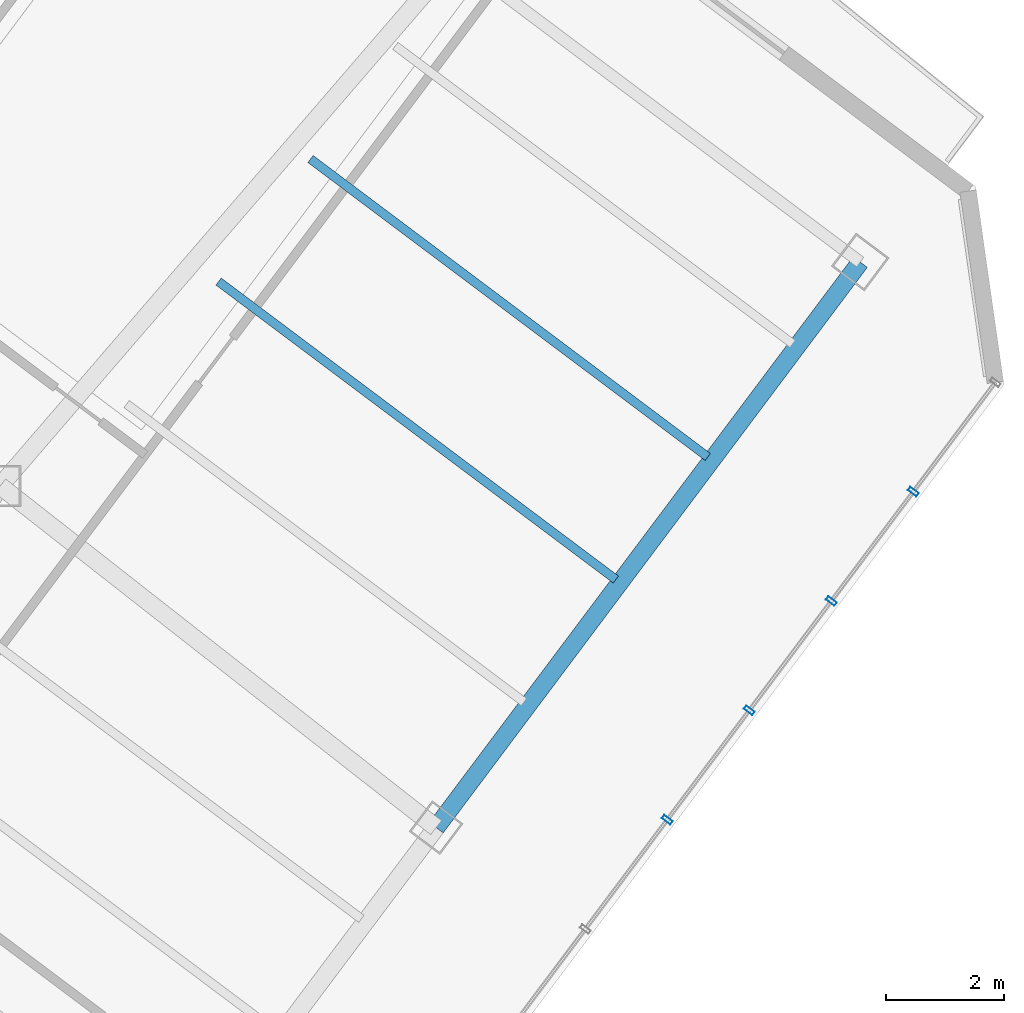
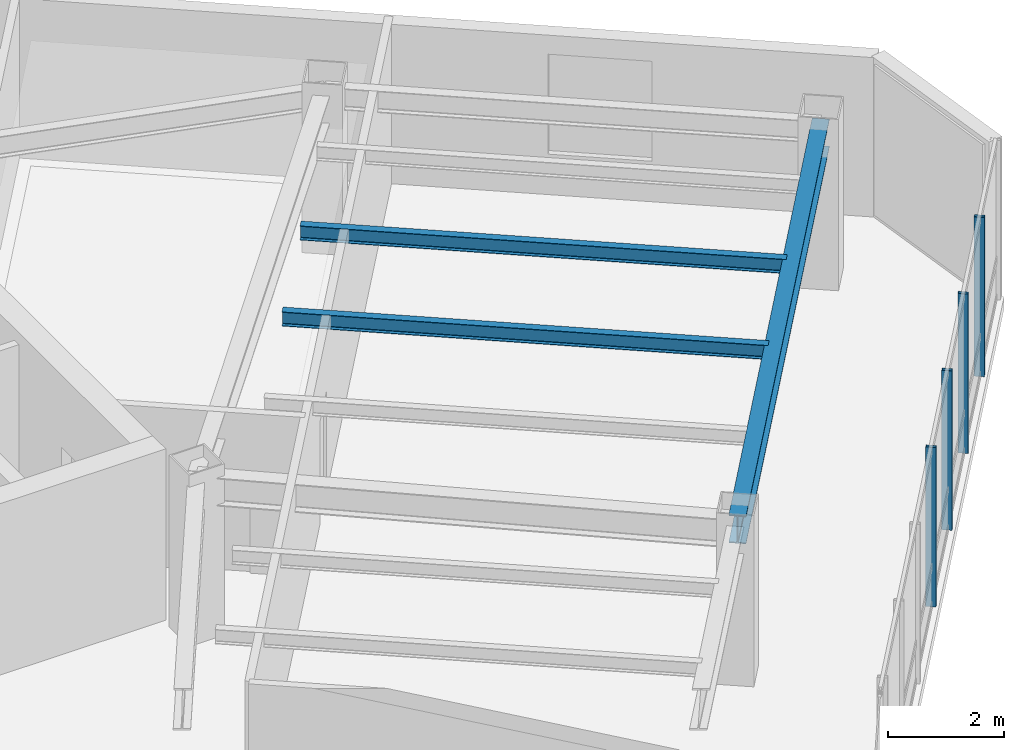
# One storey, part 13 of 25: 4 members, 3 beams, 1 element without a shape of its own.
"""IFC4 building model written with IfcOpenShell, lengths in metres."""

from ifc_helpers import new_model, si_unit, direction, frame, origin, origin_2d, place, context, subcontext, project, spatial, hollow_rectangle, i_section, extrude, material, layer, layer_set, material_profile, profile_set, type_object, element, aggregate, save


model = new_model("IFC4")

# Units and contexts
model_context = context("Model", 3, precision=1e-05, world=origin(), true_north=direction((0.0, 1.0)))
body_context = subcontext(model_context, "Body", "Model", "MODEL_VIEW")
ifc_project = project(units=[si_unit("LENGTHUNIT", "METRE"), si_unit("AREAUNIT", "SQUARE_METRE"), si_unit("VOLUMEUNIT", "CUBIC_METRE"), si_unit("PLANEANGLEUNIT", "RADIAN"), si_unit("MASSUNIT", "GRAM", prefix="KILO")], contexts=[model_context])

# Site, building, storey
site_placement = place(None, origin())
site = spatial("IfcSite", under=ifc_project, at=site_placement, CompositionType="ELEMENT")
building_placement = place(site_placement, origin())
building = spatial("IfcBuilding", under=site, at=building_placement, Name="Hatsunagi Terrace Concourse", CompositionType="ELEMENT")
storey_placement = place(building_placement, frame((0.0, 0.0, 220.35009765625)))
storey = spatial("IfcBuildingStorey", under=building, at=storey_placement, Name="L58", CompositionType="ELEMENT", Elevation=220.35009765625)

# Curtain wall, members
ifc_material_1 = material(Name="Anodised Aluminium Alloy 6063-T5", Category="aluminium")
ifc_layer = layer(ifc_material_1, 0.199951171875)
ifc_layer_set = layer_set([ifc_layer], Name="OfficeZone2_CW04")
curtain_wall_type = type_object("IfcCurtainWallType", Name="OfficeZone2_CW04", PredefinedType="NOTDEFINED", material=ifc_layer_set)
curtain_wall_placement = place(storey_placement, origin())
curtain_wall = element("IfcCurtainWall", 1, at=curtain_wall_placement, inside=storey, type_object=curtain_wall_type, Name="Unitised Curtain Wall CW-04 CW-L58-03", PredefinedType="NOTDEFINED")
ifc_material_2 = material(Name="Anodised Aluminium Alloy 6063-T5", Category="aluminium")
ifc_material_profile_1 = material_profile(ifc_material_2, hollow_rectangle(XDim=0.070068359375, YDim=0.179931640625, WallThickness=0.00390625, at=origin_2d()), Name="ALU-MUL-180x70x4")
ifc_profile_set_1 = profile_set([ifc_material_profile_1], Name="Anodised Aluminium Alloy 6063-T5")
member_type = type_object("IfcMemberType", Name="CurtainWallMullion_180x70", PredefinedType="MULLION", material=ifc_profile_set_1)
member_1_placement = place(storey_placement, frame((59.301025390625, 24.10205078125, 0.0), z_axis=(0.0, 0.0, 1.0), x_axis=(-0.599969314634, -0.800023013105, 0.0)))
member_1 = element("IfcMember", 2, at=member_1_placement, type_object=member_type, Name="Curtain Wall Mullion MUL-02", PredefinedType="MULLION", context=body_context, shape_type="SweptSolid", body=[
    extrude(hollow_rectangle(XDim=0.070068359375, YDim=0.179931640625, WallThickness=0.00390625, at=origin_2d()), origin(), (0.0, 0.0, 1.0), 3.349853515625),
])
member_2_placement = place(storey_placement, frame((57.908935546875, 22.2451171875, 0.0), z_axis=(0.0, 0.0, 1.0), x_axis=(-0.599969314634, -0.800023013105, 0.0)))
member_2 = element("IfcMember", 3, at=member_2_placement, type_object=member_type, Name="Curtain Wall Mullion MUL-02", PredefinedType="MULLION", context=body_context, shape_type="SweptSolid", body=[
    extrude(hollow_rectangle(XDim=0.070068359375, YDim=0.179931640625, WallThickness=0.00390625, at=origin_2d()), origin(), (0.0, 0.0, 1.0), 3.349853515625),
])
member_3_placement = place(storey_placement, frame((56.51611328125, 20.388916015625, 0.0), z_axis=(0.0, 0.0, 1.0), x_axis=(-0.599969314634, -0.800023013105, 0.0)))
member_3 = element("IfcMember", 4, at=member_3_placement, type_object=member_type, Name="Curtain Wall Mullion MUL-02", PredefinedType="MULLION", context=body_context, shape_type="SweptSolid", body=[
    extrude(hollow_rectangle(XDim=0.070068359375, YDim=0.179931640625, WallThickness=0.00390625, at=origin_2d()), origin(), (0.0, 0.0, 1.0), 3.349853515625),
])
member_4_placement = place(storey_placement, frame((55.1240234375, 18.531982421875, 0.0), z_axis=(0.0, 0.0, 1.0), x_axis=(-0.599969314634, -0.800023013105, 0.0)))
member_4 = element("IfcMember", 5, at=member_4_placement, type_object=member_type, Name="Curtain Wall Mullion MUL-02", PredefinedType="MULLION", context=body_context, shape_type="SweptSolid", body=[
    extrude(hollow_rectangle(XDim=0.070068359375, YDim=0.179931640625, WallThickness=0.00390625, at=origin_2d()), origin(), (0.0, 0.0, 1.0), 3.349853515625),
])
aggregate(curtain_wall, [member_1, member_2, member_3, member_4])

# Beams
ifc_material_3 = material(Name="Steel SN490B", Category="steel")
ifc_material_profile_2 = material_profile(ifc_material_3, i_section(OverallWidth=0.300048828125, OverallDepth=0.587890625, WebThickness=0.011962890625, FlangeThickness=0.02001953125, FilletRadius=0.01806640625, at=origin_2d()), Name="H-588x300x12x20")
ifc_profile_set_2 = profile_set([ifc_material_profile_2], Name="Steel SN490B")
beam_type_1 = type_object("IfcBeamType", Name="OfficeHighGirder_H_588x300", PredefinedType="BEAM", material=ifc_profile_set_2)
beam_placement = place(storey_placement, frame((51.199951171875, 18.39990234375, 3.055908203125), z_axis=(0.59999348959, 0.800004882766, 0.0), x_axis=(-0.800004882766, 0.59999348959, 0.0)))
element("IfcBeam", 6, at=beam_placement, inside=storey, type_object=beam_type_1, Name="Beam G-06 BM-L58-SET-2B", PredefinedType="BEAM", context=body_context, shape_type="SweptSolid", body=[
    extrude(i_section(OverallWidth=0.300048828125, OverallDepth=0.587890625, WebThickness=0.011962890625, FlangeThickness=0.02001953125, FilletRadius=0.01806640625, at=origin_2d()), origin(), (0.0, 0.0, 1.0), 12.0),
])
ifc_material_4 = material(Name="Steel SN490B", Category="steel")
ifc_material_profile_3 = material_profile(ifc_material_4, i_section(OverallWidth=0.14990234375, OverallDepth=0.300048828125, WebThickness=0.006591796875, FlangeThickness=0.009033203125, FilletRadius=0.010986328125, at=origin_2d()), Name="H-300x150x6.5x9")
ifc_profile_set_3 = profile_set([ifc_material_profile_3], Name="Steel SN490B")
beam_type_2 = type_object("IfcBeamType", Name="OfficeJoist_H_300x150", PredefinedType="JOIST", material=ifc_profile_set_3)
for number, where, z_axis, x_axis, name in (
    (7, (47.508056640625, 27.6689453125, 3.199951171875), (0.800003475366, -0.59999536615, 0.0), (0.59999536615, 0.800003475366, 0.0), "Beam J-03 J-L58-SE-2-168"),
    (8, (49.068115234375, 29.7490234375, 3.199951171875), (0.799989573921, -0.600013901187, 0.0), (0.600013901187, 0.799989573921, 0.0), "Beam J-03 J-L58-SE-2-194"),
):
    element("IfcBeam", number, at=place(storey_placement, frame(where, z_axis=z_axis, x_axis=x_axis)), inside=storey, type_object=beam_type_2, Name=name, PredefinedType="JOIST", context=body_context, shape_type="SweptSolid", body=[
        extrude(i_section(OverallWidth=0.14990234375, OverallDepth=0.300048828125, WebThickness=0.006591796875, FlangeThickness=0.009033203125, FilletRadius=0.010986328125, at=origin_2d()), origin(), (0.0, 0.0, 1.0), 8.429931640625),
    ])

save(model, "model.ifc")
